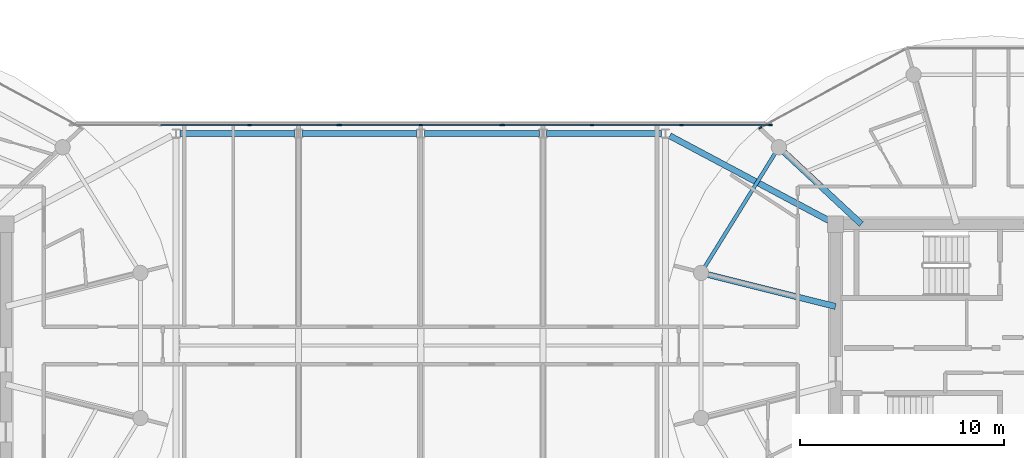
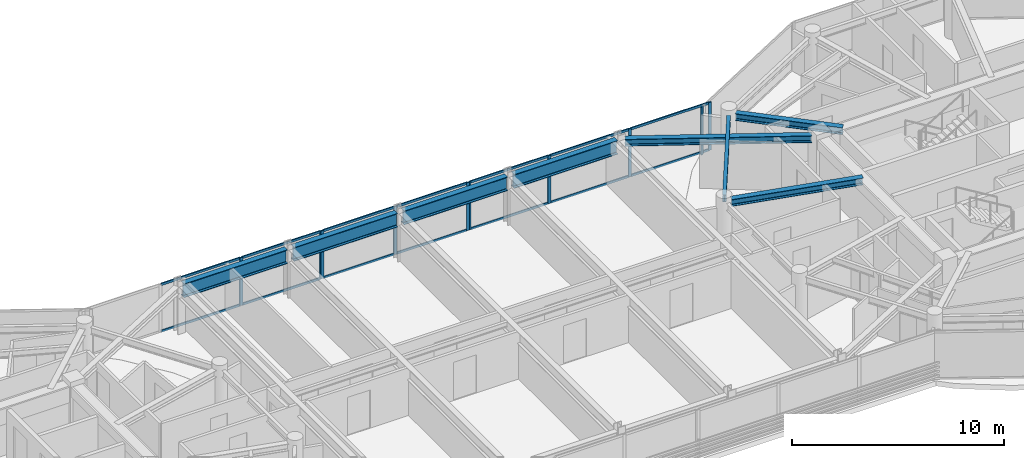
# One storey, part 8 of 23: 24 members, 8 beams, 4 elements without a shape of their own.
"""IFC4 building model written with IfcOpenShell, lengths in metres."""

from ifc_helpers import new_model, si_unit, direction, frame, origin, origin_2d, place, context, subcontext, project, spatial, rectangle, i_section, extrude, source, transform, mapped, material, layer, layer_set, material_profile, profile_set, type_object, type_shapes, element, aggregate, save


model = new_model("IFC4")

# Units and contexts
model_context = context("Model", 3, precision=1e-05, world=origin(), true_north=direction((0.0, 1.0)))
body_context = subcontext(model_context, "Body", "Model", "MODEL_VIEW")
ifc_project = project(units=[si_unit("LENGTHUNIT", "METRE"), si_unit("AREAUNIT", "SQUARE_METRE"), si_unit("VOLUMEUNIT", "CUBIC_METRE"), si_unit("PLANEANGLEUNIT", "RADIAN"), si_unit("MASSUNIT", "GRAM", prefix="KILO")], contexts=[model_context])

# Site, building, storey
site_placement = place(None, origin())
site = spatial("IfcSite", under=ifc_project, at=site_placement, CompositionType="ELEMENT")
building_placement = place(site_placement, origin())
building = spatial("IfcBuilding", under=site, at=building_placement, Name="Norrkilde Senior Care Towers", CompositionType="ELEMENT")
storey_placement = place(building_placement, frame((0.0, 0.0, 207.800048828125)))
storey = spatial("IfcBuildingStorey", under=building, at=storey_placement, Name="L64", CompositionType="ELEMENT", Elevation=207.800048828125)

# Beams
ifc_material_1 = material(Name="Steel S355", Category="steel")
ifc_material_profile_1 = material_profile(ifc_material_1, i_section(OverallWidth=0.179931640625, OverallDepth=0.39990234375, WebThickness=0.008544921875, FlangeThickness=0.013427734375, FilletRadius=0.02099609375, at=origin_2d()), Name="IPE 400")
ifc_profile_set_1 = profile_set([ifc_material_profile_1], Name="Steel S355")
beam_type_1 = type_object("IfcBeamType", Name="Perimeter Ring Spandrel Z4 IPE400", PredefinedType="SPANDREL", material=ifc_profile_set_1)
shared_shape_1 = source(origin(), body_context, "Body", "SweptSolid", [
    extrude(i_section(OverallWidth=0.179931640625, OverallDepth=0.39990234375, WebThickness=0.008544921875, FlangeThickness=0.013427734375, FilletRadius=0.02099609375, at=origin_2d()), origin(), (0.0, 0.0, 1.0), 6.58056640625),
])
type_shapes(beam_type_1, [shared_shape_1])
beam_1_placement = place(storey_placement, frame((17.393798828125, 9.43798828125, 2.56005859375), z_axis=(-0.526529583789, -0.850156807533, 0.0), x_axis=(0.850156807533, -0.526529583789, 0.0)))
element("IfcBeam", 1, at=beam_1_placement, inside=storey, type_object=beam_type_1, Name="L64 Drum E Perimeter Spandrel 05", PredefinedType="SPANDREL", context=body_context, shape_type="MappedRepresentation", body=[
    mapped(shared_shape_1, transform((0.0, 0.0, 0.0), x_axis=(1.0, 0.0, 0.0), y_axis=(0.0, 1.0, 0.0), z_axis=(0.0, 0.0, 1.0), scale=1.0)),
])
ifc_material_profile_2 = material_profile(ifc_material_1, i_section(OverallWidth=0.300048828125, OverallDepth=0.39990234375, WebThickness=0.013427734375, FlangeThickness=0.02392578125, FilletRadius=0.027099609375, at=origin_2d()), Name="HEB 400")
ifc_profile_set_2 = profile_set([ifc_material_profile_2], Name="Steel S355")
beam_type_2 = type_object("IfcBeamType", Name="Radial Floor Beam Z4 HEB400", PredefinedType="BEAM", material=ifc_profile_set_2)
shared_shape_2 = source(origin(), body_context, "Body", "SweptSolid", [
    extrude(i_section(OverallWidth=0.300048828125, OverallDepth=0.39990234375, WebThickness=0.013427734375, FlangeThickness=0.02392578125, FilletRadius=0.027099609375, at=origin_2d()), origin(), (0.0, 0.0, 1.0), 6.465087890625),
])
beam_2_placement = place(storey_placement, frame((20.35009765625, 1.910888671875, 2.56005859375), z_axis=(-0.970195788563, 0.242322371758, 0.0), x_axis=(-0.242322371758, -0.970195788563, 0.0)))
element("IfcBeam", 2, at=beam_2_placement, inside=storey, type_object=beam_type_2, Name="L64 Drum E Radial Floor Beam 06", PredefinedType="BEAM", context=body_context, shape_type="MappedRepresentation", body=[
    mapped(shared_shape_2, transform((0.0, 0.0, 0.0), x_axis=(1.0, 0.0, 0.0), y_axis=(0.0, 1.0, 0.0), z_axis=(0.0, 0.0, 1.0), scale=1.0)),
])
shared_shape_3 = source(origin(), body_context, "Body", "SweptSolid", [
    extrude(i_section(OverallWidth=0.300048828125, OverallDepth=0.39990234375, WebThickness=0.013427734375, FlangeThickness=0.02392578125, FilletRadius=0.027099609375, at=origin_2d()), origin(), (0.0, 0.0, 1.0), 5.197998046875),
])
beam_3_placement = place(storey_placement, frame((21.6171875, 5.949951171875, 2.56005859375), z_axis=(-0.731448749334, 0.681896419625, 0.0), x_axis=(-0.681896419625, -0.731448749334, 0.0)))
element("IfcBeam", 3, at=beam_3_placement, inside=storey, type_object=beam_type_2, Name="L64 Drum E Radial Floor Beam 05", PredefinedType="BEAM", context=body_context, shape_type="MappedRepresentation", body=[
    mapped(shared_shape_3, transform((0.0, 0.0, 0.0), x_axis=(1.0, 0.0, 0.0), y_axis=(0.0, 1.0, 0.0), z_axis=(0.0, 0.0, 1.0), scale=1.0)),
])
shared_shape_4 = source(origin(), body_context, "Body", "SweptSolid", [
    extrude(i_section(OverallWidth=0.300048828125, OverallDepth=0.39990234375, WebThickness=0.013427734375, FlangeThickness=0.02392578125, FilletRadius=0.027099609375, at=origin_2d()), origin(), (0.0, 0.0, 1.0), 8.831787109375),
])
type_shapes(beam_type_2, [shared_shape_2, shared_shape_3, shared_shape_4])
beam_4_placement = place(storey_placement, frame((12.220703125, 10.282470703125, 2.56005859375), z_axis=(0.882492172381, -0.470327083727, 0.0), x_axis=(0.470327083727, 0.882492172381, 0.0)))
element("IfcBeam", 4, at=beam_4_placement, inside=storey, type_object=beam_type_2, Name="L64 Sky-Gate Bridge Girder N6", PredefinedType="BEAM", context=body_context, shape_type="MappedRepresentation", body=[
    mapped(shared_shape_4, transform((0.0, 0.0, 0.0), x_axis=(1.0, 0.0, 0.0), y_axis=(0.0, 1.0, 0.0), z_axis=(0.0, 0.0, 1.0), scale=1.0)),
])
ifc_material_profile_3 = material_profile(ifc_material_1, i_section(OverallWidth=0.300048828125, OverallDepth=0.800048828125, WebThickness=0.017578125, FlangeThickness=0.032958984375, FilletRadius=0.030029296875, at=origin_2d()), Name="HEB 800")
ifc_profile_set_3 = profile_set([ifc_material_profile_3], Name="Steel S355")
beam_type_3 = type_object("IfcBeamType", Name="Bridge Floor Girder HEB800", PredefinedType="USERDEFINED", material=ifc_profile_set_3)
shared_shape_5 = source(origin(), body_context, "Body", "SweptSolid", [
    extrude(i_section(OverallWidth=0.300048828125, OverallDepth=0.800048828125, WebThickness=0.017578125, FlangeThickness=0.032958984375, FilletRadius=0.030029296875, at=origin_2d()), origin(), (0.0, 0.0, 1.0), 5.64013671875),
])
type_shapes(beam_type_3, [shared_shape_5])
for number, where, z_axis, x_axis, name in (
    (5, (-11.820068359375, 10.39990234375, 2.35986328125), (1.0, 0.0, 0.0), (0.0, 1.0, 0.0), "L64 Sky-Gate Bridge Girder N2"),
    (6, (-5.820068359375, 10.39990234375, 2.35986328125), (1.0, 0.0, 0.0), (0.0, 1.0, 0.0), "L64 Sky-Gate Bridge Girder N3"),
    (7, (0.179931640625, 10.39990234375, 2.35986328125), (1.0, 0.0, 0.0), (0.0, 1.0, 0.0), "L64 Sky-Gate Bridge Girder N4"),
    (8, (6.179931640625, 10.39990234375, 2.35986328125), (1.0, 0.0, 0.0), (0.0, 1.0, 0.0), "L64 Sky-Gate Bridge Girder N5"),
):
    element("IfcBeam", number, at=place(storey_placement, frame(where, z_axis=z_axis, x_axis=x_axis)), inside=storey, type_object=beam_type_3, Name=name, ObjectType="GIRDER", PredefinedType="USERDEFINED", context=body_context, shape_type="MappedRepresentation", body=[
        mapped(shared_shape_5, transform((0.0, 0.0, 0.0), x_axis=(1.0, 0.0, 0.0), y_axis=(0.0, 1.0, 0.0), z_axis=(0.0, 0.0, 1.0), scale=1.0)),
    ])

# Curtain wall, member
ifc_material_2 = material(Name="Triple Low-E Insulated Glazing", Category="glass")
ifc_layer_1 = layer(ifc_material_2, 0.18505859375)
ifc_layer_set_1 = layer_set([ifc_layer_1], Name="Triple Low-E Insulated Glazing")
curtain_wall_type_1 = type_object("IfcCurtainWallType", Name="CW6 Zone 4 Crown Pavilion Curtain Wall", PredefinedType="NOTDEFINED", material=ifc_layer_set_1)
curtain_wall_1_placement = place(storey_placement, origin())
curtain_wall_1 = element("IfcCurtainWall", 9, at=curtain_wall_1_placement, inside=storey, type_object=curtain_wall_type_1, Name="L64 Drum E Curtain Wall 03", PredefinedType="NOTDEFINED")
ifc_material_3 = material(Name="Anodised Aluminium", Category="aluminium")
ifc_material_profile_4 = material_profile(ifc_material_3, rectangle(XDim=0.06494140625, YDim=0.14990234375, at=origin_2d()), Name="ALU MULL 65x150")
ifc_profile_set_4 = profile_set([ifc_material_profile_4], Name="Anodised Aluminium")
member_type_1 = type_object("IfcMemberType", Name="Curtain Wall Mullion Z3-Z4 65x150", PredefinedType="MULLION", material=ifc_profile_set_4)
shared_shape_6 = source(origin(), body_context, "Body", "SweptSolid", [
    extrude(rectangle(XDim=0.06494140625, YDim=0.14990234375, at=origin_2d()), origin(), (0.0, 0.0, 1.0), 2.760009765625),
])
type_shapes(member_type_1, [shared_shape_6])
member_1_placement = place(storey_placement, frame((16.658203125, 10.6787109375, 0.0), z_axis=(0.0, 0.0, 1.0), x_axis=(-0.476132676136, 0.879373455772, 0.0)))
member_1 = element("IfcMember", 10, at=member_1_placement, type_object=member_type_1, Name="CW-6 mullion 1", PredefinedType="MULLION", context=body_context, shape_type="MappedRepresentation", body=[
    mapped(shared_shape_6, transform((0.0, 0.0, 0.0), x_axis=(1.0, 0.0, 0.0), y_axis=(0.0, 1.0, 0.0), z_axis=(0.0, 0.0, 1.0), scale=1.0)),
])
aggregate(curtain_wall_1, [member_1])

# Curtain wall, members
ifc_layer_2 = layer(ifc_material_2, 0.2099609375)
ifc_layer_set_2 = layer_set([ifc_layer_2], Name="Triple Low-E Insulated Glazing")
curtain_wall_type_2 = type_object("IfcCurtainWallType", Name="CW5 Sky-Gate Bridge Curtain Wall", PredefinedType="NOTDEFINED", material=ifc_layer_set_2)
curtain_wall_2_placement = place(storey_placement, origin())
curtain_wall_2 = element("IfcCurtainWall", 11, at=curtain_wall_2_placement, inside=storey, type_object=curtain_wall_type_2, Name="L64 Sky-Gate Bridge North Curtain Wall 1", PredefinedType="NOTDEFINED")
ifc_material_profile_5 = material_profile(ifc_material_3, rectangle(XDim=0.06494140625, YDim=0.1298828125, at=origin_2d()), Name="ALU TRAN 65x130")
ifc_profile_set_5 = profile_set([ifc_material_profile_5], Name="Anodised Aluminium")
member_type_2 = type_object("IfcMemberType", Name="Curtain Wall Transom Heavy 65x130", PredefinedType="USERDEFINED", material=ifc_profile_set_5)
shared_shape_7 = source(origin(), body_context, "Body", "SweptSolid", [
    extrude(rectangle(XDim=0.06494140625, YDim=0.1298828125, at=origin_2d()), origin(), (0.0, 0.0, 1.0), 4.294921875),
])
member_2_placement = place(storey_placement, frame((-8.364990234375, 10.820068359375, 0.032470703125), z_axis=(1.0, 0.0, 0.0), x_axis=(0.0, 1.0, 0.0)))
member_2 = element("IfcMember", 12, at=member_2_placement, type_object=member_type_2, Name="CW-5 transom 3.1", ObjectType="TRANSOM", PredefinedType="USERDEFINED", context=body_context, shape_type="MappedRepresentation", body=[
    mapped(shared_shape_7, transform((0.0, 0.0, 0.0), x_axis=(1.0, 0.0, 0.0), y_axis=(0.0, 1.0, 0.0), z_axis=(0.0, 0.0, 1.0), scale=1.0)),
])
member_3_placement = place(storey_placement, frame((-8.364990234375, 10.820068359375, 2.7275390625), z_axis=(1.0, 0.0, 0.0), x_axis=(0.0, 1.0, 0.0)))
member_3 = element("IfcMember", 13, at=member_3_placement, type_object=member_type_2, Name="CW-5 transom 3.2", ObjectType="TRANSOM", PredefinedType="USERDEFINED", context=body_context, shape_type="MappedRepresentation", body=[
    mapped(shared_shape_7, transform((0.0, 0.0, 0.0), x_axis=(1.0, 0.0, 0.0), y_axis=(0.0, 1.0, 0.0), z_axis=(0.0, 0.0, 1.0), scale=1.0)),
])

curtain_wall_3_placement = place(storey_placement, origin())
curtain_wall_3 = element("IfcCurtainWall", 14, at=curtain_wall_3_placement, inside=storey, type_object=curtain_wall_type_2, Name="L64 Sky-Gate Bridge North Curtain Wall 3", PredefinedType="NOTDEFINED")
member_4_placement = place(storey_placement, frame((4.070068359375, 10.820068359375, 0.032470703125), z_axis=(1.0, 0.0, 0.0), x_axis=(0.0, 1.0, 0.0)))
member_4 = element("IfcMember", 15, at=member_4_placement, type_object=member_type_2, Name="CW-5 transom 1.1", ObjectType="TRANSOM", PredefinedType="USERDEFINED", context=body_context, shape_type="MappedRepresentation", body=[
    mapped(shared_shape_7, transform((0.0, 0.0, 0.0), x_axis=(1.0, 0.0, 0.0), y_axis=(0.0, 1.0, 0.0), z_axis=(0.0, 0.0, 1.0), scale=1.0)),
])
member_5_placement = place(storey_placement, frame((4.070068359375, 10.820068359375, 2.7275390625), z_axis=(1.0, 0.0, 0.0), x_axis=(0.0, 1.0, 0.0)))
member_5 = element("IfcMember", 16, at=member_5_placement, type_object=member_type_2, Name="CW-5 transom 1.2", ObjectType="TRANSOM", PredefinedType="USERDEFINED", context=body_context, shape_type="MappedRepresentation", body=[
    mapped(shared_shape_7, transform((0.0, 0.0, 0.0), x_axis=(1.0, 0.0, 0.0), y_axis=(0.0, 1.0, 0.0), z_axis=(0.0, 0.0, 1.0), scale=1.0)),
])
member_6_placement = place(storey_placement, frame((12.8349609375, 10.820068359375, 0.032470703125), z_axis=(1.0, 0.0, 0.0), x_axis=(0.0, 1.0, 0.0)))
member_6 = element("IfcMember", 17, at=member_6_placement, type_object=member_type_2, Name="CW-5 transom 3.1", ObjectType="TRANSOM", PredefinedType="USERDEFINED", context=body_context, shape_type="MappedRepresentation", body=[
    mapped(shared_shape_7, transform((0.0, 0.0, 0.0), x_axis=(1.0, 0.0, 0.0), y_axis=(0.0, 1.0, 0.0), z_axis=(0.0, 0.0, 1.0), scale=1.0)),
])
member_7_placement = place(storey_placement, frame((12.8349609375, 10.820068359375, 2.7275390625), z_axis=(1.0, 0.0, 0.0), x_axis=(0.0, 1.0, 0.0)))
member_7 = element("IfcMember", 18, at=member_7_placement, type_object=member_type_2, Name="CW-5 transom 3.2", ObjectType="TRANSOM", PredefinedType="USERDEFINED", context=body_context, shape_type="MappedRepresentation", body=[
    mapped(shared_shape_7, transform((0.0, 0.0, 0.0), x_axis=(1.0, 0.0, 0.0), y_axis=(0.0, 1.0, 0.0), z_axis=(0.0, 0.0, 1.0), scale=1.0)),
])

# Member
shared_shape_8 = source(origin(), body_context, "Body", "SweptSolid", [
    extrude(rectangle(XDim=0.06494140625, YDim=0.1298828125, at=origin_2d()), origin(), (0.0, 0.0, 1.0), 4.329833984375),
])
member_8_placement = place(storey_placement, frame((-12.764892578125, 10.820068359375, 0.032470703125), z_axis=(1.0, 0.0, 0.0), x_axis=(0.0, 1.0, 0.0)))
member_8 = element("IfcMember", 19, at=member_8_placement, type_object=member_type_2, Name="CW-5 transom 2.1", ObjectType="TRANSOM", PredefinedType="USERDEFINED", context=body_context, shape_type="MappedRepresentation", body=[
    mapped(shared_shape_8, transform((0.0, 0.0, 0.0), x_axis=(1.0, 0.0, 0.0), y_axis=(0.0, 1.0, 0.0), z_axis=(0.0, 0.0, 1.0), scale=1.0)),
])

member_9_placement = place(storey_placement, frame((-12.764892578125, 10.820068359375, 2.7275390625), z_axis=(1.0, 0.0, 0.0), x_axis=(0.0, 1.0, 0.0)))
member_9 = element("IfcMember", 20, at=member_9_placement, type_object=member_type_2, Name="CW-5 transom 2.2", ObjectType="TRANSOM", PredefinedType="USERDEFINED", context=body_context, shape_type="MappedRepresentation", body=[
    mapped(shared_shape_8, transform((0.0, 0.0, 0.0), x_axis=(1.0, 0.0, 0.0), y_axis=(0.0, 1.0, 0.0), z_axis=(0.0, 0.0, 1.0), scale=1.0)),
])

member_10_placement = place(storey_placement, frame((8.43505859375, 10.820068359375, 0.032470703125), z_axis=(1.0, 0.0, 0.0), x_axis=(0.0, 1.0, 0.0)))
member_10 = element("IfcMember", 21, at=member_10_placement, type_object=member_type_2, Name="CW-5 transom 2.1", ObjectType="TRANSOM", PredefinedType="USERDEFINED", context=body_context, shape_type="MappedRepresentation", body=[
    mapped(shared_shape_8, transform((0.0, 0.0, 0.0), x_axis=(1.0, 0.0, 0.0), y_axis=(0.0, 1.0, 0.0), z_axis=(0.0, 0.0, 1.0), scale=1.0)),
])

member_11_placement = place(storey_placement, frame((8.43505859375, 10.820068359375, 2.7275390625), z_axis=(1.0, 0.0, 0.0), x_axis=(0.0, 1.0, 0.0)))
member_11 = element("IfcMember", 22, at=member_11_placement, type_object=member_type_2, Name="CW-5 transom 2.2", ObjectType="TRANSOM", PredefinedType="USERDEFINED", context=body_context, shape_type="MappedRepresentation", body=[
    mapped(shared_shape_8, transform((0.0, 0.0, 0.0), x_axis=(1.0, 0.0, 0.0), y_axis=(0.0, 1.0, 0.0), z_axis=(0.0, 0.0, 1.0), scale=1.0)),
])

# Curtain wall, members
curtain_wall_4_placement = place(storey_placement, origin())
curtain_wall_4 = element("IfcCurtainWall", 23, at=curtain_wall_4_placement, inside=storey, type_object=curtain_wall_type_2, Name="L64 Sky-Gate Bridge North Curtain Wall 2", PredefinedType="NOTDEFINED")
shared_shape_9 = source(origin(), body_context, "Body", "SweptSolid", [
    extrude(rectangle(XDim=0.06494140625, YDim=0.1298828125, at=origin_2d()), origin(), (0.0, 0.0, 1.0), 3.89501953125),
])
type_shapes(member_type_2, [shared_shape_7, shared_shape_8, shared_shape_9])
member_12_placement = place(storey_placement, frame((-3.929931640625, 10.820068359375, 0.032470703125), z_axis=(1.0, 0.0, 0.0), x_axis=(0.0, 1.0, 0.0)))
member_12 = element("IfcMember", 24, at=member_12_placement, type_object=member_type_2, Name="CW-5 transom 1.1", ObjectType="TRANSOM", PredefinedType="USERDEFINED", context=body_context, shape_type="MappedRepresentation", body=[
    mapped(shared_shape_9, transform((0.0, 0.0, 0.0), x_axis=(1.0, 0.0, 0.0), y_axis=(0.0, 1.0, 0.0), z_axis=(0.0, 0.0, 1.0), scale=1.0)),
])
member_13_placement = place(storey_placement, frame((-3.929931640625, 10.820068359375, 2.7275390625), z_axis=(1.0, 0.0, 0.0), x_axis=(0.0, 1.0, 0.0)))
member_13 = element("IfcMember", 25, at=member_13_placement, type_object=member_type_2, Name="CW-5 transom 1.2", ObjectType="TRANSOM", PredefinedType="USERDEFINED", context=body_context, shape_type="MappedRepresentation", body=[
    mapped(shared_shape_9, transform((0.0, 0.0, 0.0), x_axis=(1.0, 0.0, 0.0), y_axis=(0.0, 1.0, 0.0), z_axis=(0.0, 0.0, 1.0), scale=1.0)),
])
member_14_placement = place(storey_placement, frame((0.034912109375, 10.820068359375, 0.032470703125), z_axis=(1.0, 0.0, 0.0), x_axis=(0.0, 1.0, 0.0)))
member_14 = element("IfcMember", 26, at=member_14_placement, type_object=member_type_2, Name="CW-5 transom 2.1", ObjectType="TRANSOM", PredefinedType="USERDEFINED", context=body_context, shape_type="MappedRepresentation", body=[
    mapped(shared_shape_9, transform((0.0, 0.0, 0.0), x_axis=(1.0, 0.0, 0.0), y_axis=(0.0, 1.0, 0.0), z_axis=(0.0, 0.0, 1.0), scale=1.0)),
])
member_15_placement = place(storey_placement, frame((0.034912109375, 10.820068359375, 2.7275390625), z_axis=(1.0, 0.0, 0.0), x_axis=(0.0, 1.0, 0.0)))
member_15 = element("IfcMember", 27, at=member_15_placement, type_object=member_type_2, Name="CW-5 transom 2.2", ObjectType="TRANSOM", PredefinedType="USERDEFINED", context=body_context, shape_type="MappedRepresentation", body=[
    mapped(shared_shape_9, transform((0.0, 0.0, 0.0), x_axis=(1.0, 0.0, 0.0), y_axis=(0.0, 1.0, 0.0), z_axis=(0.0, 0.0, 1.0), scale=1.0)),
])

# Member
ifc_material_profile_6 = material_profile(ifc_material_3, rectangle(XDim=0.070068359375, YDim=0.169921875, at=origin_2d()), Name="ALU MULL 70x170")
ifc_profile_set_6 = profile_set([ifc_material_profile_6], Name="Anodised Aluminium")
member_type_3 = type_object("IfcMemberType", Name="Curtain Wall Mullion Heavy 70x170", PredefinedType="MULLION", material=ifc_profile_set_6)
shared_shape_10 = source(origin(), body_context, "Body", "SweptSolid", [
    extrude(rectangle(XDim=0.070068359375, YDim=0.169921875, at=origin_2d()), origin(), (0.0, 0.0, 1.0), 2.760009765625),
])
type_shapes(member_type_3, [shared_shape_10])
member_16_placement = place(storey_placement, frame((-8.39990234375, 10.820068359375, 0.0), z_axis=(0.0, 0.0, 1.0), x_axis=(0.0, 1.0, 0.0)))
member_16 = element("IfcMember", 28, at=member_16_placement, type_object=member_type_3, Name="CW-5 mullion 3", PredefinedType="MULLION", context=body_context, shape_type="MappedRepresentation", body=[
    mapped(shared_shape_10, transform((0.0, 0.0, 0.0), x_axis=(1.0, 0.0, 0.0), y_axis=(0.0, 1.0, 0.0), z_axis=(0.0, 0.0, 1.0), scale=1.0)),
])

member_17_placement = place(storey_placement, frame((-4.034912109375, 10.820068359375, 0.0), z_axis=(0.0, 0.0, 1.0), x_axis=(0.0, 1.0, 0.0)))
member_17 = element("IfcMember", 29, at=member_17_placement, type_object=member_type_3, Name="CW-5 mullion 4", PredefinedType="MULLION", context=body_context, shape_type="MappedRepresentation", body=[
    mapped(shared_shape_10, transform((0.0, 0.0, 0.0), x_axis=(1.0, 0.0, 0.0), y_axis=(0.0, 1.0, 0.0), z_axis=(0.0, 0.0, 1.0), scale=1.0)),
])

aggregate(curtain_wall_2, [member_16, member_17, member_8, member_9, member_2, member_3])

member_18_placement = place(storey_placement, frame((-3.965087890625, 10.820068359375, 0.0), z_axis=(0.0, 0.0, 1.0), x_axis=(0.0, 1.0, 0.0)))
member_18 = element("IfcMember", 30, at=member_18_placement, type_object=member_type_3, Name="CW-5 mullion 1", PredefinedType="MULLION", context=body_context, shape_type="MappedRepresentation", body=[
    mapped(shared_shape_10, transform((0.0, 0.0, 0.0), x_axis=(1.0, 0.0, 0.0), y_axis=(0.0, 1.0, 0.0), z_axis=(0.0, 0.0, 1.0), scale=1.0)),
])

member_19_placement = place(storey_placement, frame((0.0, 10.820068359375, 0.0), z_axis=(0.0, 0.0, 1.0), x_axis=(0.0, 1.0, 0.0)))
member_19 = element("IfcMember", 31, at=member_19_placement, type_object=member_type_3, Name="CW-5 mullion 2", PredefinedType="MULLION", context=body_context, shape_type="MappedRepresentation", body=[
    mapped(shared_shape_10, transform((0.0, 0.0, 0.0), x_axis=(1.0, 0.0, 0.0), y_axis=(0.0, 1.0, 0.0), z_axis=(0.0, 0.0, 1.0), scale=1.0)),
])

member_20_placement = place(storey_placement, frame((3.965087890625, 10.820068359375, 0.0), z_axis=(0.0, 0.0, 1.0), x_axis=(0.0, 1.0, 0.0)))
member_20 = element("IfcMember", 32, at=member_20_placement, type_object=member_type_3, Name="CW-5 mullion 3", PredefinedType="MULLION", context=body_context, shape_type="MappedRepresentation", body=[
    mapped(shared_shape_10, transform((0.0, 0.0, 0.0), x_axis=(1.0, 0.0, 0.0), y_axis=(0.0, 1.0, 0.0), z_axis=(0.0, 0.0, 1.0), scale=1.0)),
])

aggregate(curtain_wall_4, [member_18, member_19, member_20, member_12, member_13, member_14, member_15])

member_21_placement = place(storey_placement, frame((4.034912109375, 10.820068359375, 0.0), z_axis=(0.0, 0.0, 1.0), x_axis=(0.0, 1.0, 0.0)))
member_21 = element("IfcMember", 33, at=member_21_placement, type_object=member_type_3, Name="CW-5 mullion 1", PredefinedType="MULLION", context=body_context, shape_type="MappedRepresentation", body=[
    mapped(shared_shape_10, transform((0.0, 0.0, 0.0), x_axis=(1.0, 0.0, 0.0), y_axis=(0.0, 1.0, 0.0), z_axis=(0.0, 0.0, 1.0), scale=1.0)),
])

member_22_placement = place(storey_placement, frame((8.39990234375, 10.820068359375, 0.0), z_axis=(0.0, 0.0, 1.0), x_axis=(0.0, 1.0, 0.0)))
member_22 = element("IfcMember", 34, at=member_22_placement, type_object=member_type_3, Name="CW-5 mullion 2", PredefinedType="MULLION", context=body_context, shape_type="MappedRepresentation", body=[
    mapped(shared_shape_10, transform((0.0, 0.0, 0.0), x_axis=(1.0, 0.0, 0.0), y_axis=(0.0, 1.0, 0.0), z_axis=(0.0, 0.0, 1.0), scale=1.0)),
])

member_23_placement = place(storey_placement, frame((12.800048828125, 10.820068359375, 0.0), z_axis=(0.0, 0.0, 1.0), x_axis=(0.0, 1.0, 0.0)))
member_23 = element("IfcMember", 35, at=member_23_placement, type_object=member_type_3, Name="CW-5 mullion 3", PredefinedType="MULLION", context=body_context, shape_type="MappedRepresentation", body=[
    mapped(shared_shape_10, transform((0.0, 0.0, 0.0), x_axis=(1.0, 0.0, 0.0), y_axis=(0.0, 1.0, 0.0), z_axis=(0.0, 0.0, 1.0), scale=1.0)),
])

member_24_placement = place(storey_placement, frame((17.1650390625, 10.820068359375, 0.0), z_axis=(0.0, 0.0, 1.0), x_axis=(0.0, 1.0, 0.0)))
member_24 = element("IfcMember", 36, at=member_24_placement, type_object=member_type_3, Name="CW-5 mullion 4", PredefinedType="MULLION", context=body_context, shape_type="MappedRepresentation", body=[
    mapped(shared_shape_10, transform((0.0, 0.0, 0.0), x_axis=(1.0, 0.0, 0.0), y_axis=(0.0, 1.0, 0.0), z_axis=(0.0, 0.0, 1.0), scale=1.0)),
])

aggregate(curtain_wall_3, [member_21, member_22, member_23, member_24, member_4, member_5, member_10, member_11, member_6, member_7])

save(model, "model.ifc")
